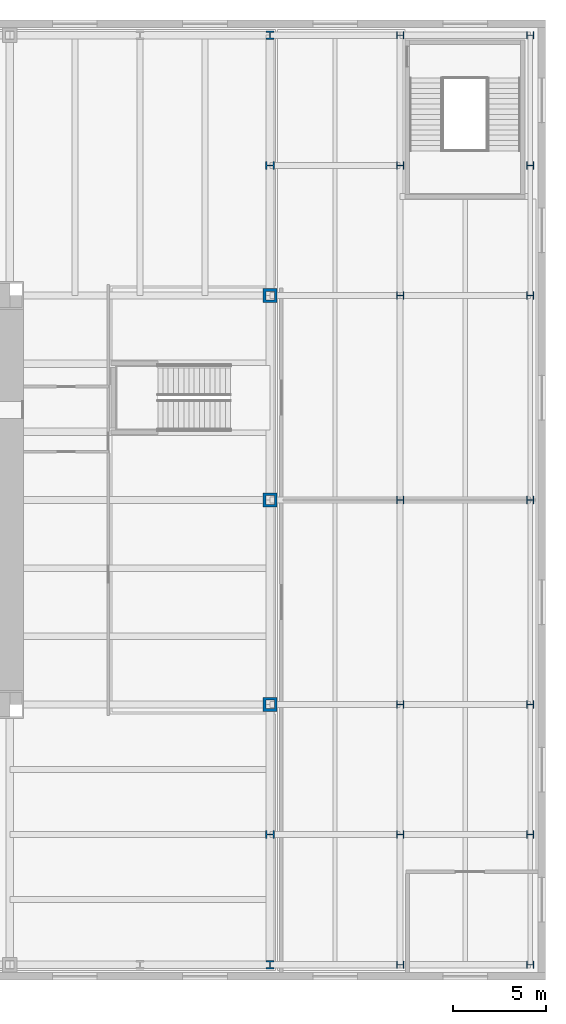
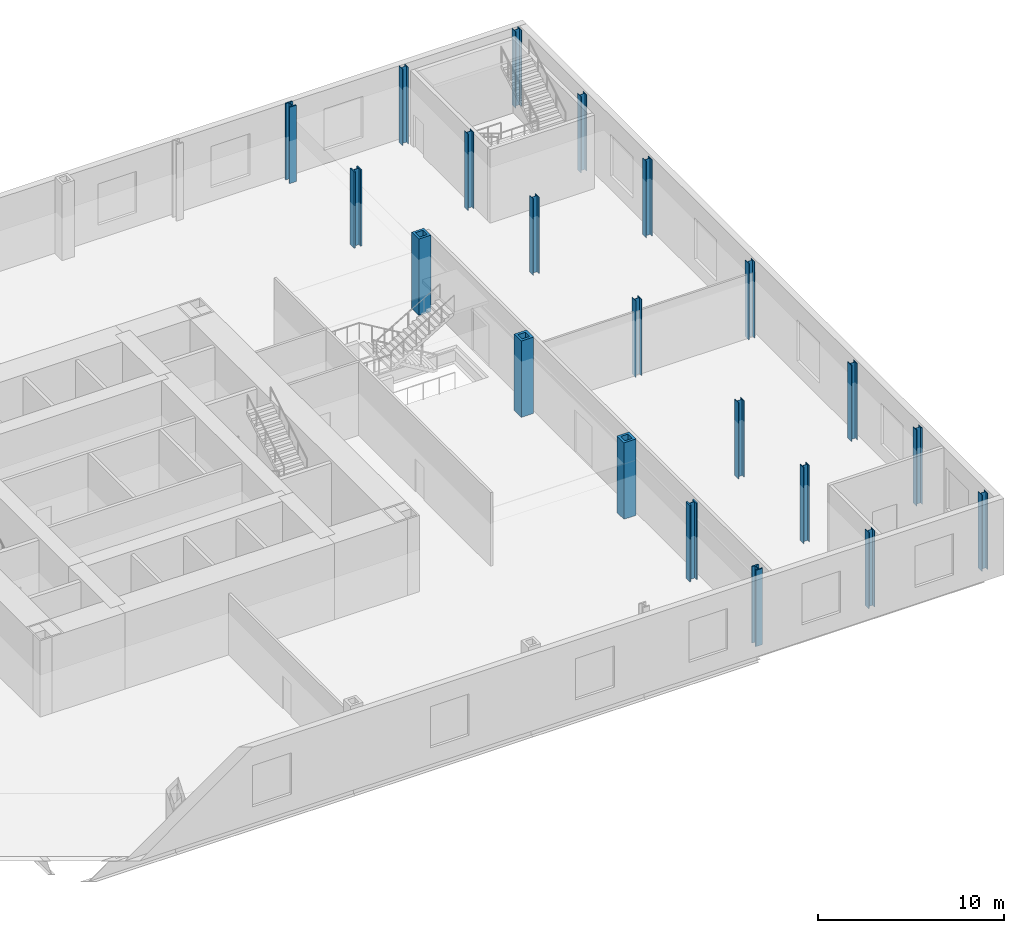
# One storey, part 4 of 13: 21 columns.
"""IFC4 building model written with IfcOpenShell, lengths in metres."""

from ifc_helpers import new_model, si_unit, direction, frame, origin, origin_2d, place, context, subcontext, project, spatial, hollow_rectangle, i_section, extrude, material, material_profile, profile_set, type_object, element, save


model = new_model("IFC4")

# Units and contexts
model_context = context("Model", 3, precision=1e-05, world=origin(), true_north=direction((0.0, 1.0)))
body_context = subcontext(model_context, "Body", "Model", "MODEL_VIEW")
ifc_project = project(units=[si_unit("LENGTHUNIT", "METRE"), si_unit("AREAUNIT", "SQUARE_METRE"), si_unit("VOLUMEUNIT", "CUBIC_METRE"), si_unit("PLANEANGLEUNIT", "RADIAN"), si_unit("MASSUNIT", "GRAM", prefix="KILO")], contexts=[model_context])

# Site, building, storey
site_placement = place(None, origin())
site = spatial("IfcSite", under=ifc_project, at=site_placement, CompositionType="ELEMENT")
building_placement = place(site_placement, origin())
building = spatial("IfcBuilding", under=site, at=building_placement, Name="Trevanion Tower", CompositionType="ELEMENT")
storey_placement = place(building_placement, frame((0.0, 0.0, 6.0)))
storey = spatial("IfcBuildingStorey", under=building, at=storey_placement, Name="L01", CompositionType="ELEMENT", Elevation=6.0)

# Columns
ifc_material_1 = material(Name="Steel ASTM A588 Grade 50", Category="steel")
ifc_material_profile_1 = material_profile(ifc_material_1, hollow_rectangle(XDim=0.761962890625, YDim=0.761962890625, WallThickness=0.15234375, at=origin_2d()), Name="BOX30X30X6")
ifc_profile_set_1 = profile_set([ifc_material_profile_1], Name="Steel ASTM A588 Grade 50")
column_type_1 = type_object("IfcColumnType", Name="C1 BOX30X30X6", PredefinedType="COLUMN", material=ifc_profile_set_1)
for number, where, z_axis, x_axis, name in (
    (1, (25.0, -11.0, 0.0), (0.0, 0.0, 1.0), (0.0, 1.0, 0.0), "C1 17/F L01"),
    (2, (25.0, 0.0, 0.0), (0.0, 0.0, 1.0), (0.0, 1.0, 0.0), "C1 17/H L01"),
    (3, (25.0, 11.0, 0.0), (0.0, 0.0, 1.0), (0.0, 1.0, 0.0), "C1 17/K L01"),
):
    element("IfcColumn", number, at=place(storey_placement, frame(where, z_axis=z_axis, x_axis=x_axis)), inside=storey, type_object=column_type_1, Name=name, PredefinedType="COLUMN", context=body_context, shape_type="SweptSolid", body=[
        extrude(hollow_rectangle(XDim=0.761962890625, YDim=0.761962890625, WallThickness=0.15234375, at=origin_2d()), origin(), (0.0, 0.0, 1.0), 5.0),
    ])
ifc_material_2 = material(Name="Steel ASTM A913 Grade 65", Category="steel")
ifc_material_profile_2 = material_profile(ifc_material_2, i_section(OverallWidth=0.4267578125, OverallDepth=0.482666015625, WebThickness=0.05126953125, FlangeThickness=0.08154296875, at=origin_2d()), Name="W14X455")
ifc_profile_set_2 = profile_set([ifc_material_profile_2], Name="Steel ASTM A913 Grade 65")
column_type_2 = type_object("IfcColumnType", Name="C2 W14X455", PredefinedType="COLUMN", material=ifc_profile_set_2)
for number, where, z_axis, x_axis, name in (
    (4, (25.0, -25.0, 0.0), (0.0, 0.0, 1.0), (1.0, 0.0, 0.0), "C2 17/A L01"),
    (5, (25.0, -18.0, 0.0), (0.0, 0.0, 1.0), (0.0, 1.0, 0.0), "C2 17/D L01"),
    (6, (25.0, 18.0, 0.0), (0.0, 0.0, 1.0), (0.0, 1.0, 0.0), "C2 17/M L01"),
    (7, (25.0, 25.0, 0.0), (0.0, 0.0, 1.0), (1.0, 0.0, 0.0), "C2 17/Q L01"),
):
    element("IfcColumn", number, at=place(storey_placement, frame(where, z_axis=z_axis, x_axis=x_axis)), inside=storey, type_object=column_type_2, Name=name, PredefinedType="COLUMN", context=body_context, shape_type="SweptSolid", body=[
        extrude(i_section(OverallWidth=0.4267578125, OverallDepth=0.482666015625, WebThickness=0.05126953125, FlangeThickness=0.08154296875, at=origin_2d()), origin(), (0.0, 0.0, 1.0), 5.0),
    ])
ifc_material_3 = material(Name="Steel ASTM A913 Grade 65", Category="steel")
ifc_material_profile_3 = material_profile(ifc_material_3, i_section(OverallWidth=0.393798828125, OverallDepth=0.3759765625, WebThickness=0.017333984375, FlangeThickness=0.027587890625, at=origin_2d()), Name="W14X145")
ifc_profile_set_3 = profile_set([ifc_material_profile_3], Name="Steel ASTM A913 Grade 65")
column_type_3 = type_object("IfcColumnType", Name="C3 W14X145", PredefinedType="COLUMN", material=ifc_profile_set_3)
for number, where, z_axis, x_axis, name in (
    (8, (32.0, -25.0, 0.0), (0.0, 0.0, 1.0), (0.0, 1.0, 0.0), "C3 18/A L01"),
    (9, (32.0, -18.0, 0.0), (0.0, 0.0, 1.0), (0.0, 1.0, 0.0), "C3 18/D L01"),
    (10, (32.0, -11.0, 0.0), (0.0, 0.0, 1.0), (0.0, 1.0, 0.0), "C3 18/F L01"),
    (11, (32.0, 0.0, 0.0), (0.0, 0.0, 1.0), (0.0, 1.0, 0.0), "C3 18/H L01"),
    (12, (32.0, 11.0, 0.0), (0.0, 0.0, 1.0), (0.0, 1.0, 0.0), "C3 18/K L01"),
    (13, (32.0, 18.0, 0.0), (0.0, 0.0, 1.0), (0.0, 1.0, 0.0), "C3 18/M L01"),
    (14, (32.0, 25.0, 0.0), (0.0, 0.0, 1.0), (0.0, 1.0, 0.0), "C3 18/Q L01"),
    (15, (39.0, -25.0, 0.0), (0.0, 0.0, 1.0), (0.0, 1.0, 0.0), "C3 19/A L01"),
    (16, (39.0, -18.0, 0.0), (0.0, 0.0, 1.0), (0.0, 1.0, 0.0), "C3 19/D L01"),
    (17, (39.0, -11.0, 0.0), (0.0, 0.0, 1.0), (0.0, 1.0, 0.0), "C3 19/F L01"),
    (18, (39.0, 0.0, 0.0), (0.0, 0.0, 1.0), (0.0, 1.0, 0.0), "C3 19/H L01"),
    (19, (39.0, 11.0, 0.0), (0.0, 0.0, 1.0), (0.0, 1.0, 0.0), "C3 19/K L01"),
    (20, (39.0, 18.0, 0.0), (0.0, 0.0, 1.0), (0.0, 1.0, 0.0), "C3 19/M L01"),
    (21, (39.0, 25.0, 0.0), (0.0, 0.0, 1.0), (0.0, 1.0, 0.0), "C3 19/Q L01"),
):
    element("IfcColumn", number, at=place(storey_placement, frame(where, z_axis=z_axis, x_axis=x_axis)), inside=storey, type_object=column_type_3, Name=name, PredefinedType="COLUMN", context=body_context, shape_type="SweptSolid", body=[
        extrude(i_section(OverallWidth=0.393798828125, OverallDepth=0.3759765625, WebThickness=0.017333984375, FlangeThickness=0.027587890625, at=origin_2d()), origin(), (0.0, 0.0, 1.0), 5.0),
    ])

save(model, "model.ifc")
